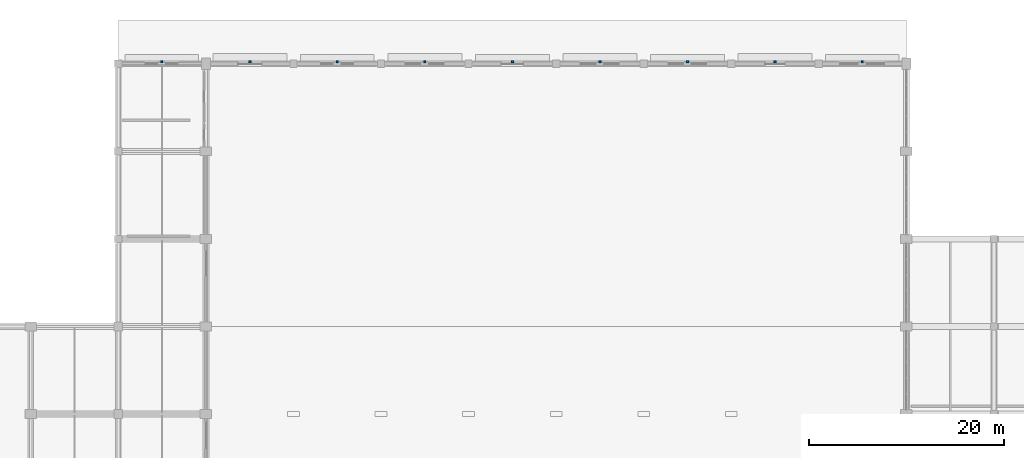
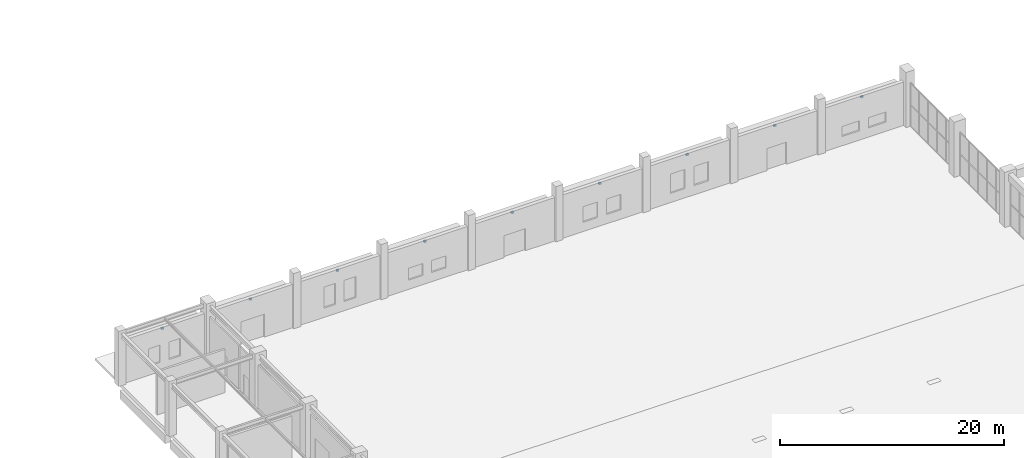
# One storey, part 76 of 91: 9 discrete accessories.
"""IFC4 building model written with IfcOpenShell, lengths in metres."""

from ifc_helpers import new_model, si_unit, direction, frame, origin, origin_2d, place, context, subcontext, project, spatial, rectangle, extrude, material, layer, layer_set, type_object, element, save


model = new_model("IFC4")

# Units and contexts
model_context = context("Model", 3, precision=1e-05, world=origin(), true_north=direction((0.0, 1.0)))
body_context = subcontext(model_context, "Body", "Model", "MODEL_VIEW")
ifc_project = project(units=[si_unit("LENGTHUNIT", "METRE"), si_unit("AREAUNIT", "SQUARE_METRE"), si_unit("VOLUMEUNIT", "CUBIC_METRE"), si_unit("PLANEANGLEUNIT", "RADIAN"), si_unit("MASSUNIT", "GRAM", prefix="KILO")], contexts=[model_context])

# Site, building, storey
site_placement = place(None, origin())
site = spatial("IfcSite", under=ifc_project, at=site_placement, CompositionType="ELEMENT")
building_placement = place(site_placement, origin())
building = spatial("IfcBuilding", under=site, at=building_placement, Name="Dornveld Trade and Exhibition Forum", CompositionType="ELEMENT")
storey_placement = place(building_placement, origin())
storey = spatial("IfcBuildingStorey", under=building, at=storey_placement, Name="L00", CompositionType="ELEMENT", Elevation=0.0)

# Discrete accessories
ifc_material = material(Name="Steel S355J2", Category="steel")
ifc_layer = layer(ifc_material, 0.179931640625)
ifc_layer_set = layer_set([ifc_layer], Name="Steel S355J2")
discrete_accessory_type = type_object("IfcDiscreteAccessoryType", Name="ACC-BRK-STL", PredefinedType="BRACKET", material=ifc_layer_set)
for number, where, z_axis, x_axis, name in (
    (1, (94.46240234375, 162.219970703125, 4.22998046875), (0.0, 0.0, 1.0), (-1.0, 0.0, 0.0), "L00 sun-hood bracket 10"),
    (2, (103.53759765625, 162.219970703125, 4.22998046875), (0.0, 0.0, 1.0), (-1.0, 0.0, 0.0), "L00 sun-hood bracket 11"),
    (3, (112.5, 162.219970703125, 4.22998046875), (0.0, 0.0, 1.0), (-1.0, 0.0, 0.0), "L00 sun-hood bracket 12"),
    (4, (121.5, 162.219970703125, 4.22998046875), (0.0, 0.0, 1.0), (-1.0, 0.0, 0.0), "L00 sun-hood bracket 13"),
    (5, (130.5, 162.219970703125, 4.22998046875), (0.0, 0.0, 1.0), (-1.0, 0.0, 0.0), "L00 sun-hood bracket 14"),
    (6, (139.5, 162.219970703125, 4.22998046875), (0.0, 0.0, 1.0), (-1.0, 0.0, 0.0), "L00 sun-hood bracket 15"),
    (7, (148.5, 162.219970703125, 4.22998046875), (0.0, 0.0, 1.0), (-1.0, 0.0, 0.0), "L00 sun-hood bracket 16"),
    (8, (157.5, 162.219970703125, 4.22998046875), (0.0, 0.0, 1.0), (-1.0, 0.0, 0.0), "L00 sun-hood bracket 17"),
    (9, (166.46240234375, 162.219970703125, 4.22998046875), (0.0, 0.0, 1.0), (-1.0, 0.0, 0.0), "L00 sun-hood bracket 18"),
):
    element("IfcDiscreteAccessory", number, at=place(storey_placement, frame(where, z_axis=z_axis, x_axis=x_axis)), inside=storey, type_object=discrete_accessory_type, Name=name, PredefinedType="BRACKET", context=body_context, shape_type="SweptSolid", body=[
        extrude(rectangle(XDim=0.239990234375, YDim=0.199951171875, at=origin_2d()), origin(), (0.0, 0.0, 1.0), 0.179931640625),
    ])

save(model, "model.ifc")
